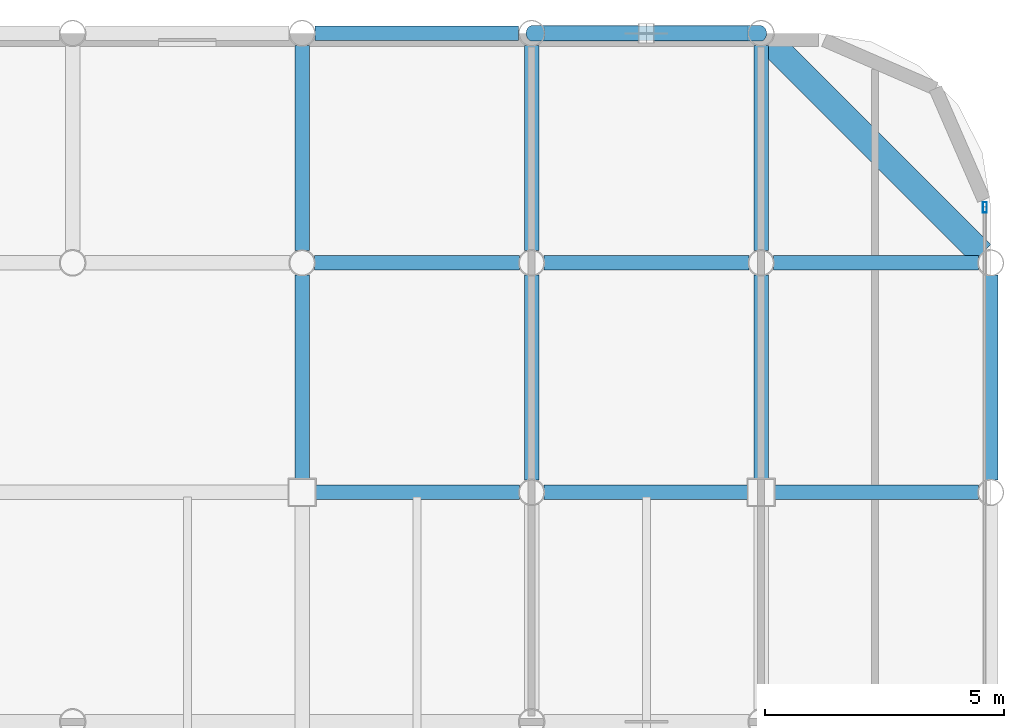
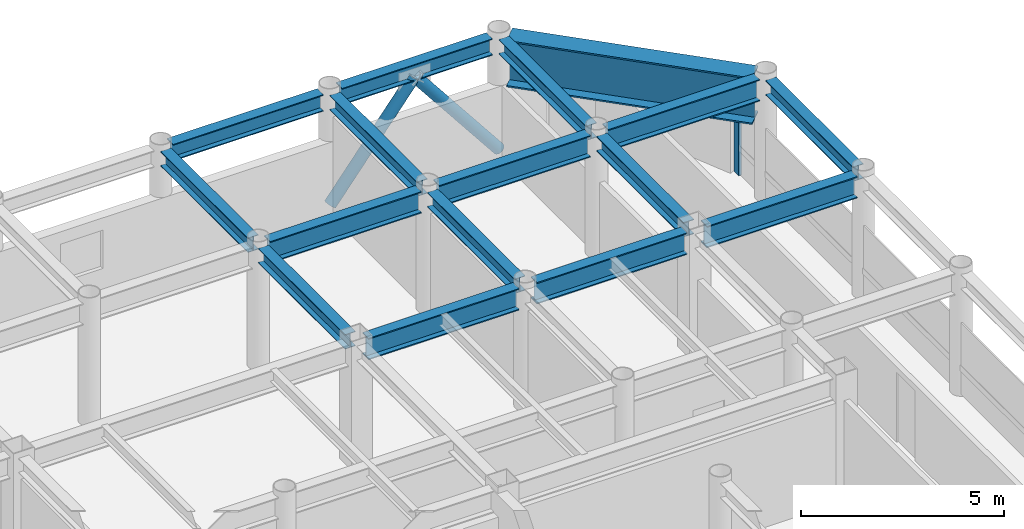
# One storey, part 16 of 21: 16 beams, 3 members, 1 element without a shape of its own.
"""IFC4 building model written with IfcOpenShell, lengths in metres."""

from ifc_helpers import new_model, si_unit, direction, frame, origin, origin_2d, place, context, subcontext, project, spatial, hollow_rectangle, hollow_circle, i_section, extrude, material, layer, layer_set, material_profile, profile_set, type_object, element, aggregate, save


model = new_model("IFC4")

# Units and contexts
model_context = context("Model", 3, precision=1e-05, world=origin(), true_north=direction((0.0, 1.0)))
body_context = subcontext(model_context, "Body", "Model", "MODEL_VIEW")
ifc_project = project(units=[si_unit("LENGTHUNIT", "METRE"), si_unit("AREAUNIT", "SQUARE_METRE"), si_unit("VOLUMEUNIT", "CUBIC_METRE"), si_unit("PLANEANGLEUNIT", "RADIAN"), si_unit("MASSUNIT", "GRAM", prefix="KILO")], contexts=[model_context])

# Site, building, storey
site_placement = place(None, origin())
site = spatial("IfcSite", under=ifc_project, at=site_placement, CompositionType="ELEMENT")
building_placement = place(site_placement, origin())
building = spatial("IfcBuilding", under=site, at=building_placement, Name="Kallvorn Hotel Tower", CompositionType="ELEMENT")
storey_placement = place(building_placement, frame((0.0, 0.0, 268.5)))
storey = spatial("IfcBuildingStorey", under=building, at=storey_placement, Name="L67", CompositionType="ELEMENT", Elevation=268.5)

# Beams
ifc_material_1 = material(Name="Structural steel S355JR", Category="steel")
ifc_material_profile_1 = material_profile(ifc_material_1, i_section(OverallWidth=0.300048828125, OverallDepth=0.43994140625, WebThickness=0.011474609375, FlangeThickness=0.02099609375, at=origin_2d()), Name="HE 450 A")
ifc_profile_set_1 = profile_set([ifc_material_profile_1], Name="Structural steel S355JR")
beam_type_1 = type_object("IfcBeamType", Name="BM_HE450A", PredefinedType="BEAM", material=ifc_profile_set_1)
beam_1_placement = place(storey_placement, frame((14.39990234375, 14.675048828125, 3.449951171875), z_axis=(0.0, 1.0, 0.0), x_axis=(-1.0, 0.0, 0.0)))
element("IfcBeam", 1, at=beam_1_placement, inside=storey, type_object=beam_type_1, Name="L68 Primary Y-Girder 125", PredefinedType="BEAM", context=body_context, shape_type="SweptSolid", body=[
    extrude(i_section(OverallWidth=0.300048828125, OverallDepth=0.43994140625, WebThickness=0.011474609375, FlangeThickness=0.02099609375, at=origin_2d()), origin(), (0.0, 0.0, 1.0), 4.2705078125),
])
for number, where, z_axis, x_axis, name in (
    (2, (14.39990234375, 19.45458984375, 3.449951171875), (0.0, 1.0, 0.0), (-1.0, 0.0, 0.0), "L68 Primary Y-Girder 126"),
    (3, (19.199951171875, 14.654541015625, 3.449951171875), (0.0, 1.0, 0.0), (-1.0, 0.0, 0.0), "L68 Primary Y-Girder 134"),
    (4, (19.199951171875, 19.45458984375, 3.449951171875), (0.0, 1.0, 0.0), (-1.0, 0.0, 0.0), "L68 Primary Y-Girder 135"),
):
    element("IfcBeam", number, at=place(storey_placement, frame(where, z_axis=z_axis, x_axis=x_axis)), inside=storey, type_object=beam_type_1, Name=name, PredefinedType="BEAM", context=body_context, shape_type="SweptSolid", body=[
        extrude(i_section(OverallWidth=0.300048828125, OverallDepth=0.43994140625, WebThickness=0.011474609375, FlangeThickness=0.02099609375, at=origin_2d()), origin(), (0.0, 0.0, 1.0), 4.291015625),
    ])
beam_2_placement = place(storey_placement, frame((24.0, 14.675048828125, 3.449951171875), z_axis=(0.0, 1.0, 0.0), x_axis=(-1.0, 0.0, 0.0)))
element("IfcBeam", 5, at=beam_2_placement, inside=storey, type_object=beam_type_1, Name="L68 Primary Y-Girder 141", PredefinedType="BEAM", context=body_context, shape_type="SweptSolid", body=[
    extrude(i_section(OverallWidth=0.300048828125, OverallDepth=0.43994140625, WebThickness=0.011474609375, FlangeThickness=0.02099609375, at=origin_2d()), origin(), (0.0, 0.0, 1.0), 4.2705078125),
])
for number, where, z_axis, x_axis, name in (
    (6, (24.0, 19.45458984375, 3.449951171875), (0.0, 1.0, 0.0), (-1.0, 0.0, 0.0), "L68 Primary Y-Girder 142"),
    (7, (28.800048828125, 14.654541015625, 3.449951171875), (0.0, 1.0, 0.0), (-1.0, 0.0, 0.0), "L68 Primary Y-Girder 150"),
):
    element("IfcBeam", number, at=place(storey_placement, frame(where, z_axis=z_axis, x_axis=x_axis)), inside=storey, type_object=beam_type_1, Name=name, PredefinedType="BEAM", context=body_context, shape_type="SweptSolid", body=[
        extrude(i_section(OverallWidth=0.300048828125, OverallDepth=0.43994140625, WebThickness=0.011474609375, FlangeThickness=0.02099609375, at=origin_2d()), origin(), (0.0, 0.0, 1.0), 4.291015625),
    ])
ifc_material_2 = material(Name="Structural steel S355JR", Category="steel")
ifc_material_profile_2 = material_profile(ifc_material_2, i_section(OverallWidth=0.300048828125, OverallDepth=0.5, WebThickness=0.014404296875, FlangeThickness=0.028076171875, at=origin_2d()), Name="HE 500 B")
ifc_profile_set_2 = profile_set([ifc_material_profile_2], Name="Structural steel S355JR")
beam_type_2 = type_object("IfcBeamType", Name="BM_HE500B", PredefinedType="SPANDREL", material=ifc_profile_set_2)
for number, where, z_axis, x_axis, name in (
    (8, (14.66943359375, 24.0, 3.419921875), (1.0, 0.0, 0.0), (0.0, 1.0, 0.0), "L68 Perimeter Spandrel 172"),
    (9, (19.469482421875, 24.0, 3.419921875), (1.0, 0.0, 0.0), (0.0, 1.0, 0.0), "L68 Perimeter Spandrel 173"),
):
    element("IfcBeam", number, at=place(storey_placement, frame(where, z_axis=z_axis, x_axis=x_axis)), inside=storey, type_object=beam_type_2, Name=name, PredefinedType="SPANDREL", context=body_context, shape_type="SweptSolid", body=[
        extrude(i_section(OverallWidth=0.300048828125, OverallDepth=0.5, WebThickness=0.014404296875, FlangeThickness=0.028076171875, at=origin_2d()), origin(), (0.0, 0.0, 1.0), 4.260986328125),
    ])
ifc_material_3 = material(Name="Structural steel S355JR", Category="steel")
ifc_material_profile_3 = material_profile(ifc_material_3, i_section(OverallWidth=0.300048828125, OverallDepth=0.64990234375, WebThickness=0.01611328125, FlangeThickness=0.031005859375, at=origin_2d()), Name="HE 650 B")
ifc_profile_set_3 = profile_set([ifc_material_profile_3], Name="Structural steel S355JR")
beam_type_3 = type_object("IfcBeamType", Name="BM_HE650B", PredefinedType="BEAM", material=ifc_profile_set_3)
for number, where, z_axis, x_axis, name in (
    (10, (14.675048828125, 14.39990234375, 3.344970703125), (1.0, 0.0, 0.0), (0.0, 1.0, 0.0), "L68 Primary X-Girder 57"),
    (11, (19.45458984375, 14.39990234375, 3.344970703125), (1.0, 0.0, 0.0), (0.0, 1.0, 0.0), "L68 Primary X-Girder 58"),
    (12, (24.27490234375, 14.39990234375, 3.344970703125), (1.0, 0.0, 0.0), (0.0, 1.0, 0.0), "L68 Primary X-Girder 59"),
):
    element("IfcBeam", number, at=place(storey_placement, frame(where, z_axis=z_axis, x_axis=x_axis)), inside=storey, type_object=beam_type_3, Name=name, PredefinedType="BEAM", context=body_context, shape_type="SweptSolid", body=[
        extrude(i_section(OverallWidth=0.300048828125, OverallDepth=0.64990234375, WebThickness=0.01611328125, FlangeThickness=0.031005859375, at=origin_2d()), origin(), (0.0, 0.0, 1.0), 4.2705078125),
    ])
for number, where, z_axis, x_axis, name in (
    (13, (14.654541015625, 19.199951171875, 3.344970703125), (1.0, 0.0, 0.0), (0.0, 1.0, 0.0), "L68 Primary X-Girder 70"),
    (14, (19.45458984375, 19.199951171875, 3.344970703125), (1.0, 0.0, 0.0), (0.0, 1.0, 0.0), "L68 Primary X-Girder 71"),
    (15, (24.25439453125, 19.199951171875, 3.344970703125), (1.0, 0.0, 0.0), (0.0, 1.0, 0.0), "L68 Primary X-Girder 72"),
):
    element("IfcBeam", number, at=place(storey_placement, frame(where, z_axis=z_axis, x_axis=x_axis)), inside=storey, type_object=beam_type_3, Name=name, PredefinedType="BEAM", context=body_context, shape_type="SweptSolid", body=[
        extrude(i_section(OverallWidth=0.300048828125, OverallDepth=0.64990234375, WebThickness=0.01611328125, FlangeThickness=0.031005859375, at=origin_2d()), origin(), (0.0, 0.0, 1.0), 4.291015625),
    ])
ifc_material_4 = material(Name="Structural steel S355JR", Category="steel")
ifc_material_profile_4 = material_profile(ifc_material_4, i_section(OverallWidth=0.550048828125, OverallDepth=1.39990234375, WebThickness=0.02490234375, FlangeThickness=0.044921875, at=origin_2d()), Name="PG 1400x550x25x45")
ifc_profile_set_4 = profile_set([ifc_material_profile_4], Name="Structural steel S355JR")
beam_type_4 = type_object("IfcBeamType", Name="BM_PG_1400", PredefinedType="BEAM", material=ifc_profile_set_4)
beam_3_placement = place(storey_placement, frame((28.609375, 19.390625, 2.969970703125), z_axis=(-0.707106781187, 0.707106781187, 0.0), x_axis=(-0.707106781187, -0.707106781187, 0.0)))
element("IfcBeam", 16, at=beam_3_placement, inside=storey, type_object=beam_type_4, Name="L68 Rounded Corner Tie Beam 191", PredefinedType="BEAM", context=body_context, shape_type="SweptSolid", body=[
    extrude(i_section(OverallWidth=0.550048828125, OverallDepth=1.39990234375, WebThickness=0.02490234375, FlangeThickness=0.044921875, at=origin_2d()), origin(), (0.0, 0.0, 1.0), 6.2490234375),
])

# Curtain wall, member
ifc_material_5 = material(Name="Thermally broken black-anodised aluminium AA 6063-T6", Category="aluminium")
ifc_layer = layer(ifc_material_5, 0.22998046875)
ifc_layer_set = layer_set([ifc_layer], Name="CW_SYS_5_HOTEL_HIGH")
curtain_wall_type = type_object("IfcCurtainWallType", Name="CW_SYS_5_HOTEL_HIGH", PredefinedType="USERDEFINED", material=ifc_layer_set)
curtain_wall_placement = place(storey_placement, origin())
curtain_wall = element("IfcCurtainWall", 17, at=curtain_wall_placement, inside=storey, type_object=curtain_wall_type, Name="L67 Dark-Glass Curtain Wall CW-L67-EN", ObjectType="UNITISED CURTAIN WALL", PredefinedType="USERDEFINED")
ifc_material_6 = material(Name="Thermally broken black-anodised aluminium AA 6063-T6", Category="aluminium")
ifc_material_profile_5 = material_profile(ifc_material_6, hollow_rectangle(XDim=0.080078125, YDim=0.219970703125, WallThickness=0.0048828125, at=origin_2d()), Name="MUL 220x80")
ifc_profile_set_5 = profile_set([ifc_material_profile_5], Name="Thermally broken black-anodised aluminium AA 6063-T6")
member_type_1 = type_object("IfcMemberType", Name="CW_MULLION_220x80", PredefinedType="MULLION", material=ifc_profile_set_5)
member_placement = place(storey_placement, frame((28.679931640625, 20.360107421875, 0.02001953125), z_axis=(0.0, 0.0, 1.0), x_axis=(1.0, 0.0, 0.0)))
member = element("IfcMember", 18, at=member_placement, type_object=member_type_1, Name="CW-L67-EN Mullion 01", PredefinedType="MULLION", context=body_context, shape_type="SweptSolid", body=[
    extrude(hollow_rectangle(XDim=0.080078125, YDim=0.219970703125, WallThickness=0.0048828125, at=origin_2d()), origin(), (0.0, 0.0, 1.0), 2.22998046875),
])
aggregate(curtain_wall, [member])

# Members
ifc_material_7 = material(Name="Structural steel S355J2H", Category="steel")
ifc_material_profile_6 = material_profile(ifc_material_7, hollow_circle(Radius=0.161865234375, WallThickness=0.012451171875, at=origin_2d()), Name="CHS 323.9x12.5")
ifc_profile_set_6 = profile_set([ifc_material_profile_6], Name="Structural steel S355J2H")
member_type_2 = type_object("IfcMemberType", Name="MBR_EXO_CHS323", PredefinedType="BRACE", material=ifc_profile_set_6)
for number, where, z_axis, x_axis, name in (
    (19, (19.21240234375, 24.0, 0.19580078125), (0.620928510901, 0.0, 0.783867198159), (0.0, 1.0, 0.0), "L67 Exoskeleton K-Brace N2A"),
    (20, (23.987548828125, 24.0, 0.19580078125), (-0.620928510901, 0.0, 0.783867198159), (0.0, -1.0, 0.0), "L67 Exoskeleton K-Brace N2B"),
):
    element("IfcMember", number, at=place(storey_placement, frame(where, z_axis=z_axis, x_axis=x_axis)), inside=storey, type_object=member_type_2, Name=name, PredefinedType="BRACE", context=body_context, shape_type="SweptSolid", body=[
        extrude(hollow_circle(Radius=0.161865234375, WallThickness=0.012451171875, at=origin_2d()), origin(), (0.0, 0.0, 1.0), 3.8251953125),
    ])

save(model, "model.ifc")
